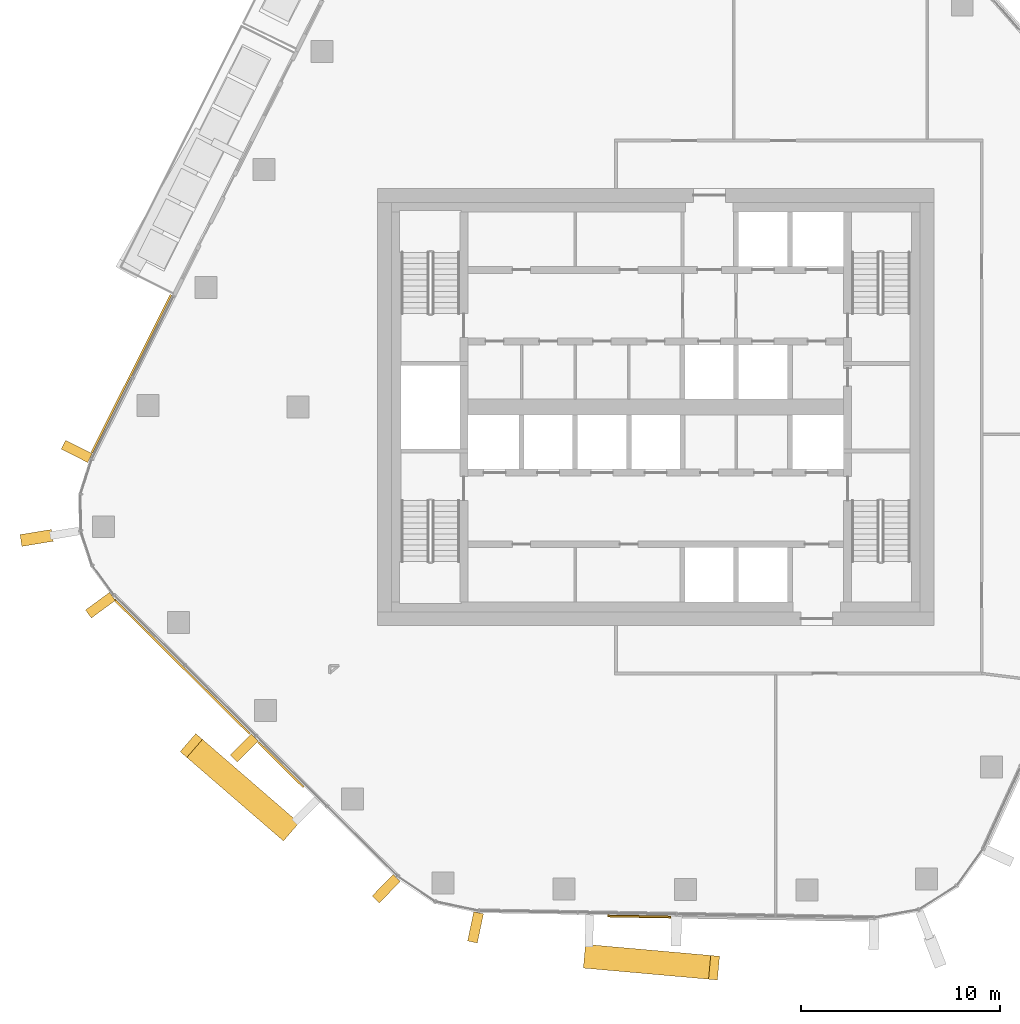
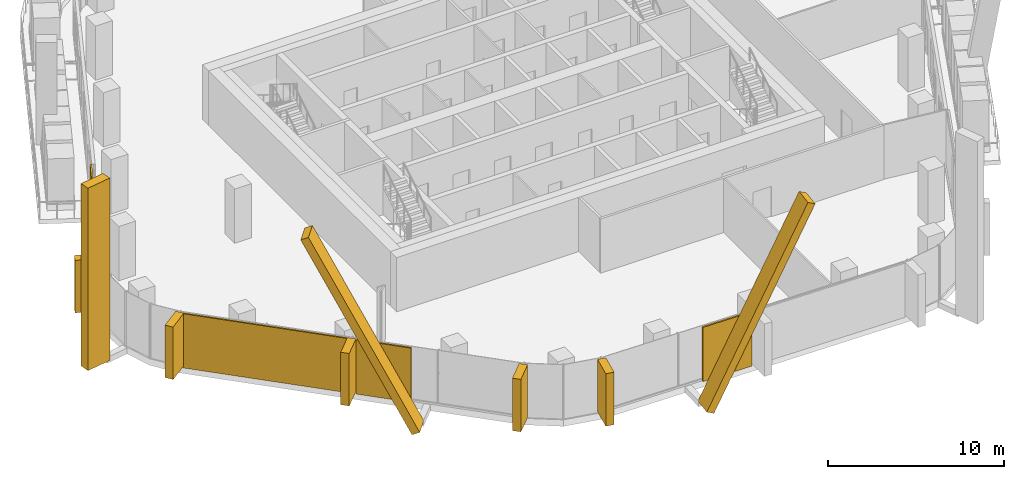
# One storey, part 14 of 20: 12 coverings, 5 elements without a shape of their own.
"""IFC4 building model written with IfcOpenShell, lengths in metres."""

import ifcopenshell
import ifcopenshell.guid

model = None  # the IFC model being written
_history = None  # IfcOwnerHistory: only IFC2X3 demands one
_inside = {}  # id of a spatial element -> (the spatial element, [elements in it])
_under = {}  # id of a project, library or spatial element -> (it, [spatial elements below it])
_declared = {}  # id of a project -> (the project, [libraries it declares])
_typed = {}  # id of a type object -> (the type object, [elements of that type])
_made_of = {}  # id of a material, layer set ... -> (it, [elements and type objects made of it])


def new_model(schema):
    """Start an empty IFC model of exactly this schema.

    Asked for "IFC4X3", IfcOpenShell would pick the latest addendum, in which some entities
    have other attributes; the version numbers below select the first issue.
    IFC2X3 requires an IfcOwnerHistory on every rooted entity: one is made here for all.
    """
    global model, _history
    if schema == "IFC4X3":
        model = ifcopenshell.file(schema_version=(4, 3, 0, 0))
    else:
        model = ifcopenshell.file(schema=schema)
    _inside.clear()
    _under.clear()
    _declared.clear()
    _typed.clear()
    _made_of.clear()
    _history = None
    if model.schema == "IFC2X3":
        org = make("IfcOrganization", Name="unknown")
        user = make(
            "IfcPersonAndOrganization",
            ThePerson=make("IfcPerson", FamilyName="unknown"),
            TheOrganization=org,
        )
        app = make(
            "IfcApplication",
            ApplicationDeveloper=org,
            Version="unknown",
            ApplicationFullName="unknown",
            ApplicationIdentifier="unknown",
        )
        _history = make(
            "IfcOwnerHistory",
            OwningUser=user,
            OwningApplication=app,
            ChangeAction="ADDED",
            CreationDate=0,
        )
    return model


def make(cls, **values):
    """One entity of the class cls with the attributes given. An attribute that is None is left unset."""
    return model.create_entity(
        cls, **{name: value for name, value in values.items() if value is not None}
    )


def rooted(cls, **values):
    """An entity with a GlobalId (a new one), such as an element, a storey or a relation."""
    return make(cls, GlobalId=ifcopenshell.guid.new(), OwnerHistory=_history, **values)


def si_unit(unit_type, name, prefix=None):
    """IfcSIUnit, for example si_unit("LENGTHUNIT", "METRE", prefix="MILLI")."""
    return make("IfcSIUnit", UnitType=unit_type, Prefix=prefix, Name=name)


def assignment(units):
    """IfcUnitAssignment: the units of a project."""
    return None if units is None else make("IfcUnitAssignment", Units=units)


def point(xyz):
    """IfcCartesianPoint."""
    return None if xyz is None else make("IfcCartesianPoint", Coordinates=xyz)


def direction(xyz):
    """IfcDirection."""
    return None if xyz is None else make("IfcDirection", DirectionRatios=xyz)


def frame(location, z_axis=None, x_axis=None):
    """IfcAxis2Placement3D, a coordinate frame: its origin and axes. An axis left out is left unset."""
    return make(
        "IfcAxis2Placement3D",
        Location=point(location),
        Axis=direction(z_axis),
        RefDirection=direction(x_axis),
    )


def frame_2d(location, x_axis=None):
    """IfcAxis2Placement2D, a coordinate frame in the plane: its origin and x axis."""
    return make(
        "IfcAxis2Placement2D", Location=point(location), RefDirection=direction(x_axis)
    )


def origin():
    """The frame at (0, 0, 0) with its axes left unset."""
    return frame((0.0, 0.0, 0.0))


def origin_2d():
    """The frame at (0, 0) in the plane with its x axis left unset."""
    return frame_2d((0.0, 0.0))


def place(relative_to, where):
    """IfcLocalPlacement: puts the frame where relative to a parent placement (None: the world)."""
    return make(
        "IfcLocalPlacement", PlacementRelTo=relative_to, RelativePlacement=where
    )


def context(
    kind, dimensions, precision=None, world=None, true_north=None, identifier=None
):
    """IfcGeometricRepresentationContext, for example the 3D "Model" context."""
    return make(
        "IfcGeometricRepresentationContext",
        ContextIdentifier=identifier,
        ContextType=kind,
        CoordinateSpaceDimension=dimensions,
        Precision=precision,
        WorldCoordinateSystem=world,
        TrueNorth=true_north,
    )


def subcontext(parent, identifier, kind, view, scale=None):
    """IfcGeometricRepresentationSubContext, for example "Body" below "Model"."""
    return make(
        "IfcGeometricRepresentationSubContext",
        ContextIdentifier=identifier,
        ContextType=kind,
        ParentContext=parent,
        TargetScale=scale,
        TargetView=view,
    )


def project(units=None, contexts=None):
    """IfcProject with its units and contexts."""
    return rooted(
        "IfcProject",
        Name="project",
        RepresentationContexts=contexts,
        UnitsInContext=assignment(units),
    )


def spatial(cls, under=None, at=None, **own):
    """A site, building, storey or space (cls), placed at a placement, below another one or the project."""
    s = rooted(cls, ObjectPlacement=at, **own)
    if under is not None:
        _under.setdefault(under.id(), (under, []))[1].append(s)
    return s


def profile(cls, at=None, kind="AREA", **sizes):
    """A parametric profile (cls). Its sizes go by their IFC names, for example OverallWidth=200.0."""
    return make(cls, ProfileType=kind, Position=at, **sizes)


def rectangle(**sizes):
    """IfcRectangleProfileDef."""
    return profile("IfcRectangleProfileDef", **sizes)


def extrude(swept, where, along, depth):
    """IfcExtrudedAreaSolid: the profile swept, set in the frame where, extruded along a direction by depth."""
    return make(
        "IfcExtrudedAreaSolid",
        SweptArea=swept,
        Position=where,
        ExtrudedDirection=direction(along),
        Depth=depth,
    )


def shape(context_of_items, identifier, shape_type, items):
    """IfcShapeRepresentation: the items that make up one representation, for example the "Body"."""
    return make(
        "IfcShapeRepresentation",
        ContextOfItems=context_of_items,
        RepresentationIdentifier=identifier,
        RepresentationType=shape_type,
        Items=items,
    )


def material(Name=None, Category=None):
    """IfcMaterial."""
    return make("IfcMaterial", Name=Name, Category=Category)


def layer(
    of_material, thickness, ventilated=None, Name=None, Category=None, Priority=None
):
    """IfcMaterialLayer: one layer of a wall or slab, of a material (None: an air gap)."""
    return make(
        "IfcMaterialLayer",
        Material=of_material,
        LayerThickness=thickness,
        IsVentilated=ventilated,
        Name=Name,
        Category=Category,
        Priority=Priority,
    )


def layer_set(layers, Name=None):
    """IfcMaterialLayerSet."""
    return make("IfcMaterialLayerSet", MaterialLayers=layers, LayerSetName=Name)


def material_profile(
    of_material, cross_section, Name=None, Category=None, Priority=None
):
    """IfcMaterialProfile: a cross section and its material."""
    return make(
        "IfcMaterialProfile",
        Name=Name,
        Material=of_material,
        Profile=cross_section,
        Priority=Priority,
        Category=Category,
    )


def profile_set(profiles, Name=None, composite=None):
    """IfcMaterialProfileSet."""
    return make(
        "IfcMaterialProfileSet",
        Name=Name,
        MaterialProfiles=profiles,
        CompositeProfile=composite,
    )


def made_of(thing, what):
    """Note that an element or type object is made of a material, layer set ...; save() writes the relation."""
    if what is not None:
        _made_of.setdefault(what.id(), (what, []))[1].append(thing)
    return thing


def type_object(cls, material=None, **own):
    """A type object (cls), such as IfcWallType, which elements share."""
    return made_of(rooted(cls, **own), material)


def element(
    cls,
    number,
    at=None,
    inside=None,
    cuts=None,
    type_object=None,
    material=None,
    context=None,
    identifier="Body",
    shape_type=None,
    held_by="IfcProductDefinitionShape",
    body=None,
    shapes=None,
    **own,
):
    """One element of the class cls, such as IfcWall. Its Tag is "e" and its number.

    at: its placement. inside: the storey or other place that contains it. cuts: it is an
    opening in that element (IfcRelVoidsElement). A single representation is given by context,
    identifier, shape_type and body (its items); several are given by shapes. held_by: the class
    of the entity that holds the representations. save() writes the other relations.
    """
    e = rooted(cls, Tag="e%d" % number, ObjectPlacement=at, **own)
    if body is not None:
        shapes = [shape(context, identifier, shape_type, body)]
    if shapes is not None:
        e.Representation = make(held_by, Representations=shapes)
    if inside is not None:
        _inside.setdefault(inside.id(), (inside, []))[1].append(e)
    if cuts is not None:
        rooted(
            "IfcRelVoidsElement", RelatingBuildingElement=cuts, RelatedOpeningElement=e
        )
    if type_object is not None:
        _typed.setdefault(type_object.id(), (type_object, []))[1].append(e)
    return made_of(e, material)


def aggregate(whole, parts):
    """IfcRelAggregates: a whole, such as a stair, and the parts it consists of."""
    return rooted("IfcRelAggregates", RelatingObject=whole, RelatedObjects=parts)


def save(model, path):
    """Write the relations noted so far, then the file.

    IfcRelAggregates (storeys below a building ...), IfcRelContainedInSpatialStructure (elements
    in a storey), IfcRelDefinesByType, IfcRelAssociatesMaterial and IfcRelDeclares: one each for
    every whole, place, type object, material and project.
    """
    for whole, parts in _under.values():
        aggregate(whole, parts)
    for where, things in _inside.values():
        rooted(
            "IfcRelContainedInSpatialStructure",
            RelatedElements=things,
            RelatingStructure=where,
        )
    for kind, things in _typed.values():
        rooted("IfcRelDefinesByType", RelatedObjects=things, RelatingType=kind)
    for what, things in _made_of.values():
        rooted("IfcRelAssociatesMaterial", RelatedObjects=things, RelatingMaterial=what)
    for by, libraries in _declared.values():
        rooted("IfcRelDeclares", RelatingContext=by, RelatedDefinitions=libraries)
    model.write(path)


model = new_model("IFC4")

# Units and contexts
model_context = context("Model", 3, precision=1e-05, world=origin(), true_north=direction((0.0, 1.0)))
body_context = subcontext(model_context, "Body", "Model", "MODEL_VIEW")
ifc_project = project(units=[si_unit("LENGTHUNIT", "METRE"), si_unit("AREAUNIT", "SQUARE_METRE"), si_unit("VOLUMEUNIT", "CUBIC_METRE"), si_unit("PLANEANGLEUNIT", "RADIAN"), si_unit("MASSUNIT", "GRAM", prefix="KILO")], contexts=[model_context])

# Site, building, storey
site_placement = place(None, origin())
site = spatial("IfcSite", under=ifc_project, at=site_placement, CompositionType="ELEMENT")
building_placement = place(site_placement, origin())
building = spatial("IfcBuilding", under=site, at=building_placement, Name="Dongbaek Canopy Tower", CompositionType="ELEMENT")
storey_placement = place(building_placement, frame((0.0, 0.0, 228.60009765625)))
storey = spatial("IfcBuildingStorey", under=building, at=storey_placement, Name="L47", CompositionType="ELEMENT", Elevation=228.60009765625)

# Curtain wall, covering
ifc_material_1 = material(Name="Aluminium 6063-T6 pale anodised", Category="aluminium")
ifc_layer_1 = layer(ifc_material_1, 0.199951171875)
ifc_layer_set_1 = layer_set([ifc_layer_1], Name="CW-1 unitised tower curtain wall")
curtain_wall_type = type_object("IfcCurtainWallType", Name="CW-1 unitised tower curtain wall", PredefinedType="NOTDEFINED", material=ifc_layer_set_1)
curtain_wall_1_placement = place(storey_placement, origin())
curtain_wall_1 = element("IfcCurtainWall", 1, at=curtain_wall_1_placement, inside=storey, type_object=curtain_wall_type, Name="CW-1 curtain wall K3.1", PredefinedType="NOTDEFINED")
ifc_material_2 = material(Name="Aluminium 6063-T6 pale metal fin", Category="aluminium")
ifc_material_profile_1 = material_profile(ifc_material_2, rectangle(XDim=1.60009765625, YDim=0.60009765625, at=origin_2d()), Name="Corner fin CN1 600 x 1600 pale metal")
ifc_profile_set_1 = profile_set([ifc_material_profile_1], Name="Aluminium 6063-T6 pale metal fin")
covering_type_1 = type_object("IfcCoveringType", Name="Corner fin CN1 600 x 1600 pale metal", PredefinedType="CLADDING", material=ifc_profile_set_1)
covering_1_placement = place(storey_placement, frame((-31.138671875, -6.5830078125, -0.22509765625), z_axis=(0.0, 0.0, 1.0), x_axis=(-0.98689179442, -0.161383351389, 0.0)))
covering_1 = element("IfcCovering", 2, at=covering_1_placement, type_object=covering_type_1, Name="Corner fin L47 L49 K3", PredefinedType="CLADDING", context=body_context, shape_type="SweptSolid", body=[
    extrude(rectangle(XDim=1.60009765625, YDim=0.60009765625, at=origin_2d()), origin(), (0.0, 0.0, 1.0), 12.614990234375),
])

curtain_wall_2_placement = place(storey_placement, origin())
curtain_wall_2 = element("IfcCurtainWall", 3, at=curtain_wall_2_placement, inside=storey, type_object=curtain_wall_type, Name="CW-1 curtain wall F3.1", PredefinedType="NOTDEFINED")
ifc_material_3 = material(Name="Aluminium 6063-T6 pale metal fin", Category="aluminium")
ifc_material_profile_2 = material_profile(ifc_material_3, rectangle(XDim=1.199951171875, YDim=0.5, at=origin_2d()), Name="Crease fin CF1 500 x 1200 pale metal")
ifc_profile_set_2 = profile_set([ifc_material_profile_2], Name="Aluminium 6063-T6 pale metal fin")
covering_type_2 = type_object("IfcCoveringType", Name="Crease fin CF1 500 x 1200 pale metal", PredefinedType="CLADDING", material=ifc_profile_set_2)
covering_2_placement = place(storey_placement, frame((-18.50341796875, -21.226318359375, -0.22509765625), z_axis=(-0.342662626681, 0.296447182687, 0.891460258314), x_axis=(-0.654265959458, -0.75626453989, 0.0)))
covering_2 = element("IfcCovering", 4, at=covering_2_placement, type_object=covering_type_2, Name="Crease fin L47 L50 F3", PredefinedType="CLADDING", context=body_context, shape_type="SweptSolid", body=[
    extrude(rectangle(XDim=1.199951171875, YDim=0.5, at=origin_2d()), origin(), (0.0, 0.0, 1.0), 14.17333984375),
])

curtain_wall_3_placement = place(storey_placement, origin())
curtain_wall_3 = element("IfcCurtainWall", 5, at=curtain_wall_3_placement, inside=storey, type_object=curtain_wall_type, Name="CW-1 curtain wall F4.1", PredefinedType="NOTDEFINED")
covering_3_placement = place(storey_placement, frame((-3.363525390625, -27.64208984375, -0.22509765625), z_axis=(0.445777240106, -0.039604676111, 0.894267365967), x_axis=(0.088495523252, 0.996076574549, 0.0)))
covering_3 = element("IfcCovering", 6, at=covering_3_placement, type_object=covering_type_2, Name="Crease fin L47 L50 F4", PredefinedType="CLADDING", context=body_context, shape_type="SweptSolid", body=[
    extrude(rectangle(XDim=1.199951171875, YDim=0.5, at=origin_2d()), origin(), (0.0, 0.0, 1.0), 14.12890625),
])

curtain_wall_4_placement = place(storey_placement, origin())
curtain_wall_4 = element("IfcCurtainWall", 7, at=curtain_wall_4_placement, inside=storey, type_object=curtain_wall_type, Name="CW-1 curtain wall F2.1", PredefinedType="NOTDEFINED")
ifc_material_4 = material(Name="Perforated aluminium 6063-T6 pale metal screen", Category="aluminium")
ifc_layer_2 = layer(ifc_material_4, 0.10009765625)
ifc_layer_set_2 = layer_set([ifc_layer_2], Name="Facet screen FS1 100 pale metal")
covering_type_3 = type_object("IfcCoveringType", Name="Facet screen FS1 100 pale metal", PredefinedType="CLADDING", material=ifc_layer_set_2)
covering_4_placement = place(storey_placement, frame((-26.37060546875, 1.681396484375, 0.0), z_axis=(0.0, 0.0, 1.0), x_axis=(-0.448908874536, -0.893577541326, 0.0)))
covering_4 = element("IfcCovering", 8, at=covering_4_placement, type_object=covering_type_3, Name="Facet screen L47 F2", PredefinedType="CLADDING", context=body_context, shape_type="SweptSolid", body=[
    extrude(rectangle(XDim=8.88330078125, YDim=0.10009765625, at=origin_2d()), origin(), (0.0, 0.0, 1.0), 3.75),
])

# Covering
covering_5_placement = place(storey_placement, frame((-23.822021484375, -13.061279296875, 0.0), z_axis=(0.0, 0.0, 1.0), x_axis=(0.71016202922, -0.704038274708, 0.0)))
covering_5 = element("IfcCovering", 9, at=covering_5_placement, type_object=covering_type_3, Name="Facet screen L47 F3", PredefinedType="CLADDING", context=body_context, shape_type="SweptSolid", body=[
    extrude(rectangle(XDim=9.612060546875, YDim=0.10009765625, at=origin_2d()), origin(), (0.0, 0.0, 1.0), 3.75),
])

covering_6_placement = place(storey_placement, frame((-18.856201171875, -17.984130859375, 0.0), z_axis=(0.0, 0.0, 1.0), x_axis=(0.71016202922, -0.704038274708, 0.0)))
covering_6 = element("IfcCovering", 10, at=covering_6_placement, type_object=covering_type_3, Name="Facet screen L47 F3", PredefinedType="CLADDING", context=body_context, shape_type="SweptSolid", body=[
    extrude(rectangle(XDim=3.21240234375, YDim=0.10009765625, at=origin_2d()), origin(), (0.0, 0.0, 1.0), 3.75),
])

covering_7_placement = place(storey_placement, frame((-0.8271484375, -25.625244140625, 0.0), z_axis=(0.0, 0.0, 1.0), x_axis=(0.999855600853, -0.016993452933, 0.0)))
covering_7 = element("IfcCovering", 11, at=covering_7_placement, type_object=covering_type_3, Name="Facet screen L47 F4", PredefinedType="CLADDING", context=body_context, shape_type="SweptSolid", body=[
    extrude(rectangle(XDim=3.172607421875, YDim=0.10009765625, at=origin_2d()), origin(), (0.0, 0.0, 1.0), 3.75),
])

aggregate(curtain_wall_3, [covering_3, covering_7])

ifc_material_5 = material(Name="Aluminium 6063-T6 pale metal fin", Category="aluminium")
ifc_material_profile_3 = material_profile(ifc_material_5, rectangle(XDim=1.5, YDim=0.5, at=origin_2d()), Name="Fin FN1 500 x 1500 pale metal")
ifc_profile_set_3 = profile_set([ifc_material_profile_3], Name="Aluminium 6063-T6 pale metal fin")
covering_type_4 = type_object("IfcCoveringType", Name="Fin FN1 500 x 1500 pale metal", PredefinedType="CLADDING", material=ifc_profile_set_3)
covering_8_placement = place(storey_placement, frame((-29.12353515625, -2.230712890625, 0.119873046875), z_axis=(0.0, 0.0, 1.0), x_axis=(-0.893577393042, 0.448909169704, 0.0)))
covering_8 = element("IfcCovering", 12, at=covering_8_placement, type_object=covering_type_4, Name="Fin F2.1.3", PredefinedType="CLADDING", context=body_context, shape_type="SweptSolid", body=[
    extrude(rectangle(XDim=1.5, YDim=0.5, at=origin_2d()), origin(), (0.0, 0.0, 1.0), 3.630126953125),
])

aggregate(curtain_wall_4, [covering_8, covering_4])

covering_9_placement = place(storey_placement, frame((-27.92919921875, -9.966064453125, 0.119873046875), z_axis=(0.0, 0.0, 1.0), x_axis=(-0.806363114239, -0.591420770683, 0.0)))
covering_9 = element("IfcCovering", 13, at=covering_9_placement, type_object=covering_type_4, Name="Fin K3.1.5", PredefinedType="CLADDING", context=body_context, shape_type="SweptSolid", body=[
    extrude(rectangle(XDim=1.5, YDim=0.5, at=origin_2d()), origin(), (0.0, 0.0, 1.0), 3.630126953125),
])

aggregate(curtain_wall_1, [covering_9, covering_1])

covering_10_placement = place(storey_placement, frame((-20.698486328125, -17.14892578125, 0.119873046875), z_axis=(0.0, 0.0, 1.0), x_axis=(-0.704037952942, -0.710162348211, 0.0)))
covering_10 = element("IfcCovering", 14, at=covering_10_placement, type_object=covering_type_4, Name="Fin F3.1.3", PredefinedType="CLADDING", context=body_context, shape_type="SweptSolid", body=[
    extrude(rectangle(XDim=1.5, YDim=0.5, at=origin_2d()), origin(), (0.0, 0.0, 1.0), 3.630126953125),
])

covering_11_placement = place(storey_placement, frame((-13.55615234375, -24.229736328125, 0.119873046875), z_axis=(0.0, 0.0, 1.0), x_axis=(-0.704037952942, -0.710162348211, 0.0)))
covering_11 = element("IfcCovering", 15, at=covering_11_placement, type_object=covering_type_4, Name="Fin F3.1.5", PredefinedType="CLADDING", context=body_context, shape_type="SweptSolid", body=[
    extrude(rectangle(XDim=1.5, YDim=0.5, at=origin_2d()), origin(), (0.0, 0.0, 1.0), 3.630126953125),
])

aggregate(curtain_wall_2, [covering_10, covering_11, covering_2, covering_5, covering_6])

# Curtain wall, covering
curtain_wall_5_placement = place(storey_placement, origin())
curtain_wall_5 = element("IfcCurtainWall", 16, at=curtain_wall_5_placement, inside=storey, type_object=curtain_wall_type, Name="CW-1 curtain wall K4.1", PredefinedType="NOTDEFINED")
covering_12_placement = place(storey_placement, frame((-9.063232421875, -26.173828125, 0.119873046875), z_axis=(0.0, 0.0, 1.0), x_axis=(-0.206515518802, -0.978443325131, 0.0)))
covering_12 = element("IfcCovering", 17, at=covering_12_placement, type_object=covering_type_4, Name="Fin K4.1.3", PredefinedType="CLADDING", context=body_context, shape_type="SweptSolid", body=[
    extrude(rectangle(XDim=1.5, YDim=0.5, at=origin_2d()), origin(), (0.0, 0.0, 1.0), 3.630126953125),
])
aggregate(curtain_wall_5, [covering_12])

save(model, "model.ifc")
